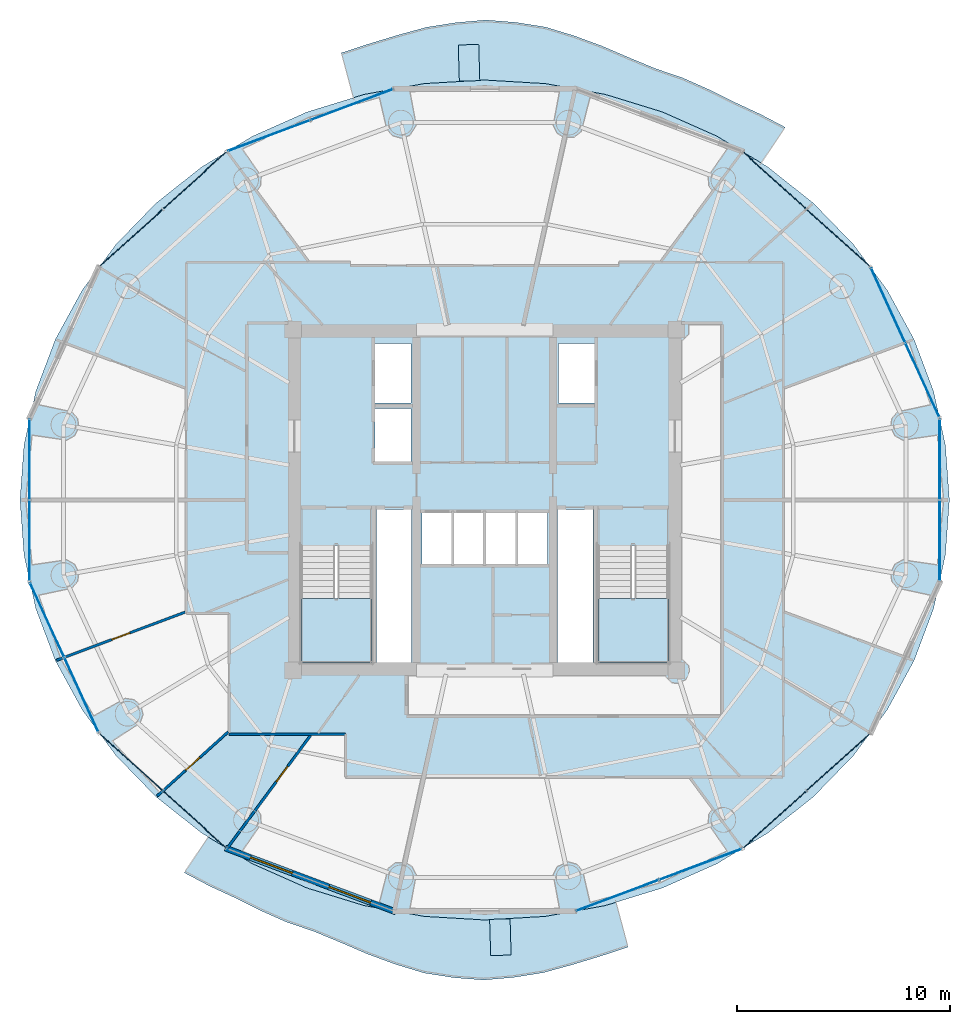
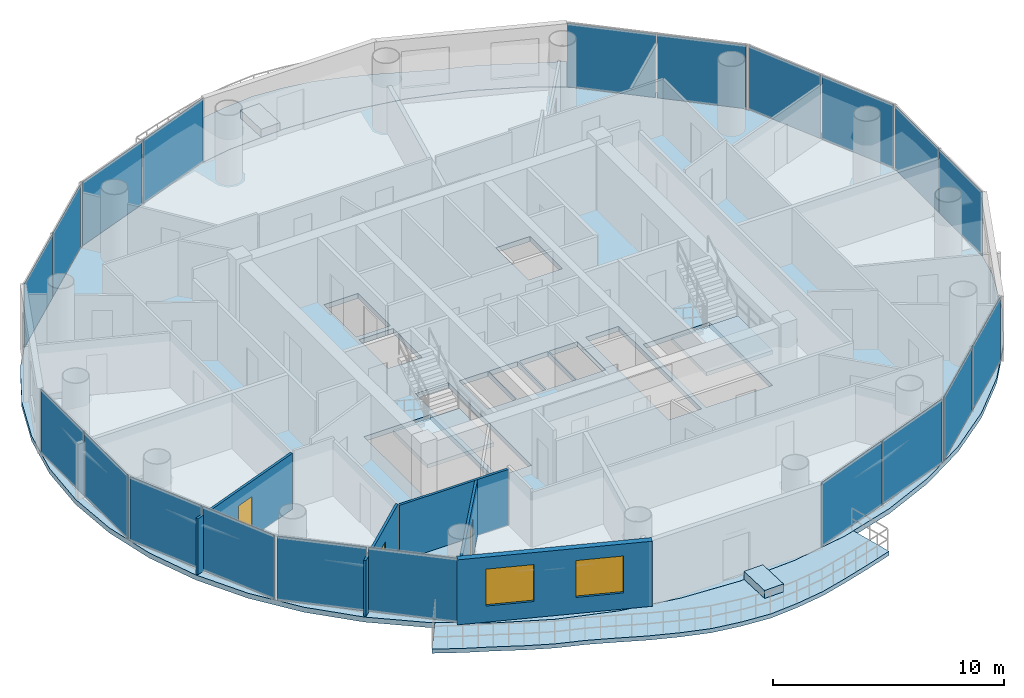
# One storey, part 19 of 26: 20 plates, 7 slabs, 5 walls, 3 doors, 2 windows, 5 openings, 12 elements without a shape of their own.
"""IFC4 building model written with IfcOpenShell, lengths in metres."""

from ifc_helpers import new_model, si_unit, direction, frame, frame_2d, origin, origin_2d, place, context, subcontext, project, spatial, polyline, rectangle, outline, extrude, source, transform, mapped, material, layer, layer_set, type_object, element, fill, aggregate, save


model = new_model("IFC4")

# Units and contexts
model_context = context("Model", 3, precision=1e-05, world=origin(), true_north=direction((-0.2419218956, 0.970295726276)))
body_context = subcontext(model_context, "Body", "Model", "MODEL_VIEW")
ifc_project = project(units=[si_unit("LENGTHUNIT", "METRE"), si_unit("AREAUNIT", "SQUARE_METRE"), si_unit("VOLUMEUNIT", "CUBIC_METRE"), si_unit("PLANEANGLEUNIT", "RADIAN"), si_unit("MASSUNIT", "GRAM", prefix="KILO")], contexts=[model_context])

# Site, building, storey
site_placement = place(None, origin())
site = spatial("IfcSite", under=ifc_project, at=site_placement, CompositionType="ELEMENT")
building_placement = place(site_placement, origin())
building = spatial("IfcBuilding", under=site, at=building_placement, Name="Cobrevalo Terracotta Tower", CompositionType="ELEMENT")
storey_placement = place(building_placement, frame((0.0, 0.0, 220.800048828125)))
storey = spatial("IfcBuildingStorey", under=building, at=storey_placement, Name="L58", CompositionType="ELEMENT", Elevation=220.800048828125)

# Stair, slab
ifc_material_1 = material(Name="Concrete C50", Category="concrete")
stair_type = type_object("IfcStairType", Name="Core protected escape dogleg stair 1600", PredefinedType="HALF_TURN_STAIR", material=ifc_material_1)
stair_1_placement = place(storey_placement, origin())
stair_1 = element("IfcStair", 1, at=stair_1_placement, inside=storey, type_object=stair_type, Name="L58 Protected exit stair ST-1", PredefinedType="HALF_TURN_STAIR")
ifc_layer_1 = layer(ifc_material_1, 0.199951171875)
ifc_layer_set_1 = layer_set([ifc_layer_1], Name="Concrete C50")
slab_type_1 = type_object("IfcSlabType", Name="Reinforced Concrete Stair Landing 200", PredefinedType="LANDING", material=ifc_layer_set_1)
slab_1_placement = place(storey_placement, frame((0.0, 0.0, 1.64990234375)))
slab_1 = element("IfcSlab", 2, at=slab_1_placement, type_object=slab_type_1, Name="ST-1 landing 1", PredefinedType="LANDING", context=body_context, shape_type="SweptSolid", body=[
    extrude(outline(polyline([(29.375, 22.179931640625), (29.375, 19.175048828125), (32.695068359375, 19.175048828125), (32.695068359375, 22.179931640625), (29.375, 22.179931640625)])), origin(), (0.0, 0.0, 1.0), 0.199951171875),
])
aggregate(stair_1, [slab_1])

stair_2_placement = place(storey_placement, origin())
stair_2 = element("IfcStair", 3, at=stair_2_placement, inside=storey, type_object=stair_type, Name="L58 Protected exit stair ST-2", PredefinedType="HALF_TURN_STAIR")
slab_2_placement = place(storey_placement, frame((0.0, 0.0, 1.64990234375)))
slab_2 = element("IfcSlab", 4, at=slab_2_placement, type_object=slab_type_1, Name="ST-2 landing 1", PredefinedType="LANDING", context=body_context, shape_type="SweptSolid", body=[
    extrude(outline(polyline([(43.304931640625, 22.179931640625), (43.304931640625, 19.175048828125), (46.625, 19.175048828125), (46.625, 22.179931640625), (43.304931640625, 22.179931640625)])), origin(), (0.0, 0.0, 1.0), 0.199951171875),
])
aggregate(stair_2, [slab_2])

# Slabs
ifc_material_2 = material(Name="Concrete C45", Category="concrete")
ifc_layer_2 = layer(ifc_material_2, 0.219970703125)
ifc_layer_set_2 = layer_set([ifc_layer_2], Name="Concrete C45")
slab_type_2 = type_object("IfcSlabType", Name="Spiralling cantilevered balcony lobe slab 220 mm", PredefinedType="FLOOR", material=ifc_layer_set_2)
slab_3_placement = place(storey_placement, frame((0.0, 0.0, -0.219970703125)))
element("IfcSlab", 5, at=slab_3_placement, inside=storey, type_object=slab_type_2, Name="L58 spiralling arc balcony slab lobe 1", PredefinedType="FLOOR", context=body_context, shape_type="SweptSolid", body=[
    extrude(outline(polyline([(52.099365234375, 44.282470703125), (50.915771484375, 44.905029296875), (49.709716796875, 45.464111328125), (48.513427734375, 46.058349609375), (47.29150390625, 46.6005859375), (46.0205078125, 47.033935546875), (44.76708984375, 47.552490234375), (43.5, 48.098388671875), (42.18798828125, 48.579345703125), (40.841796875, 48.989013671875), (39.453369140625, 49.207763671875), (38.05078125, 49.3173828125), (36.648681640625, 49.195556640625), (35.2607421875, 48.975341796875), (33.908935546875, 48.60498046875), (32.579345703125, 48.20166015625), (31.2744140625, 47.775634765625), (31.8359375, 45.670654296875), (32.357177734375, 45.83056640625), (35.154296875, 46.33349609375), (38.0, 46.501953125), (40.845703125, 46.33349609375), (43.642822265625, 45.83056640625), (46.34326171875, 45.002197265625), (48.90087890625, 43.862548828125), (50.9775390625, 42.608642578125), (52.099365234375, 44.282470703125)])), origin(), (0.0, 0.0, 1.0), 0.219970703125),
])
slab_4_placement = place(storey_placement, frame((0.0, 0.0, -0.219970703125)))
element("IfcSlab", 6, at=slab_4_placement, inside=storey, type_object=slab_type_2, Name="L58 spiralling arc balcony slab lobe 2", PredefinedType="FLOOR", context=body_context, shape_type="SweptSolid", body=[
    extrude(outline(polyline([(23.900634765625, 9.317626953125), (25.084228515625, 8.695068359375), (26.290283203125, 8.135986328125), (27.486572265625, 7.541748046875), (28.70849609375, 6.999267578125), (29.9794921875, 6.566162109375), (31.23291015625, 6.04736328125), (32.5, 5.50146484375), (33.81201171875, 5.020751953125), (35.158203125, 4.611083984375), (36.546630859375, 4.392333984375), (37.94921875, 4.28271484375), (39.351318359375, 4.404541015625), (40.7392578125, 4.62451171875), (42.091064453125, 4.994873046875), (43.420654296875, 5.398193359375), (44.7255859375, 5.82421875), (44.1640625, 7.92919921875), (43.642822265625, 7.769287109375), (40.845703125, 7.2666015625), (38.0, 7.097900390625), (35.154296875, 7.2666015625), (32.357177734375, 7.769287109375), (29.65673828125, 8.59765625), (27.09912109375, 9.737548828125), (25.0224609375, 10.991455078125), (23.900634765625, 9.317626953125)])), origin(), (0.0, 0.0, 1.0), 0.219970703125),
])
ifc_material_3 = material(Name="Precast concrete C45", Category="concrete")
ifc_layer_3 = layer(ifc_material_3, 0.419921875)
ifc_layer_set_3 = layer_set([ifc_layer_3], Name="Precast concrete C45")
slab_type_3 = type_object("IfcSlabType", Name="Structural tree planter trough base 420 mm", PredefinedType="USERDEFINED", material=ifc_layer_set_3)
slab_5_placement = place(storey_placement, origin())
element("IfcSlab", 7, at=slab_5_placement, inside=storey, type_object=slab_type_3, Name="L58 structural tree planter trough 1", ObjectType="PLANTER", PredefinedType="USERDEFINED", context=body_context, shape_type="SweptSolid", body=[
    extrude(outline(polyline([(37.769775390625, 46.4736328125), (37.7197265625, 48.1728515625), (36.76025390625, 48.144775390625), (36.810302734375, 46.4453125), (37.769775390625, 46.4736328125)])), origin(), (0.0, 0.0, 1.0), 0.419921875),
])
slab_6_placement = place(storey_placement, origin())
element("IfcSlab", 8, at=slab_6_placement, inside=storey, type_object=slab_type_3, Name="L58 structural tree planter trough 2", ObjectType="PLANTER", PredefinedType="USERDEFINED", context=body_context, shape_type="SweptSolid", body=[
    extrude(outline(polyline([(38.230224609375, 7.126220703125), (38.2802734375, 5.427001953125), (39.23974609375, 5.455322265625), (39.189697265625, 7.154541015625), (38.230224609375, 7.126220703125)])), origin(), (0.0, 0.0, 1.0), 0.419921875),
])
ifc_layer_4 = layer(ifc_material_2, 0.264892578125)
ifc_layer_set_4 = layer_set([ifc_layer_4], Name="Concrete C45")
slab_type_4 = type_object("IfcSlabType", Name="Zone Z4 elliptical floor plate 265 mm", PredefinedType="FLOOR", material=ifc_layer_set_4)
slab_7_placement = place(storey_placement, frame((0.0, 0.0, -0.26513671875)))
element("IfcSlab", 9, at=slab_7_placement, inside=storey, type_object=slab_type_4, Name="L58 indoor elliptical floor slab", PredefinedType="FLOOR", context=body_context, shape_type="SweptSolid", body=[
    extrude(outline(polyline([(59.613525390625, 24.228515625), (59.05712890625, 21.701171875), (58.140625, 19.26123046875), (56.87939453125, 16.949951171875), (55.295166015625, 14.807373046875), (53.4150390625, 12.8701171875), (51.27099609375, 11.1708984375), (48.89990234375, 9.7392578125), (46.342529296875, 8.599609375), (43.642333984375, 7.771240234375), (40.845458984375, 7.2685546875), (38.0, 7.10009765625), (35.154541015625, 7.2685546875), (32.357666015625, 7.771240234375), (29.657470703125, 8.599609375), (27.10009765625, 9.7392578125), (24.72900390625, 11.1708984375), (22.5849609375, 12.8701171875), (20.704833984375, 14.807373046875), (19.12060546875, 16.949951171875), (17.859375, 19.26123046875), (16.94287109375, 21.701171875), (16.386474609375, 24.228515625), (16.199951171875, 26.800048828125), (16.386474609375, 29.371337890625), (16.94287109375, 31.898681640625), (17.859375, 34.3388671875), (19.12060546875, 36.64990234375), (20.704833984375, 38.79248046875), (22.5849609375, 40.72998046875), (24.72900390625, 42.428955078125), (27.10009765625, 43.860595703125), (29.657470703125, 45.00048828125), (32.357666015625, 45.828857421875), (35.154541015625, 46.33154296875), (38.0, 46.5), (40.845458984375, 46.33154296875), (43.642333984375, 45.828857421875), (46.342529296875, 45.00048828125), (48.89990234375, 43.860595703125), (51.27099609375, 42.428955078125), (53.4150390625, 40.72998046875), (55.295166015625, 38.79248046875), (56.87939453125, 36.64990234375), (58.140625, 34.3388671875), (59.05712890625, 31.898681640625), (59.613525390625, 29.371337890625), (59.800048828125, 26.800048828125), (59.613525390625, 24.228515625)]), holes=[polyline([(32.695068359375, 19.175048828125), (32.695068359375, 24.659912109375), (29.375, 24.659912109375), (29.375, 19.175048828125), (32.695068359375, 19.175048828125)]), polyline([(34.574951171875, 26.360107421875), (32.919921875, 26.360107421875), (32.919921875, 19.175048828125), (34.574951171875, 19.175048828125), (34.574951171875, 26.360107421875)]), polyline([(36.47998046875, 26.25), (35.050048828125, 26.25), (35.050048828125, 23.800048828125), (36.47998046875, 23.800048828125), (36.47998046875, 26.25)]), polyline([(37.9599609375, 23.800048828125), (37.9599609375, 26.25), (36.530029296875, 26.25), (36.530029296875, 23.800048828125), (37.9599609375, 23.800048828125)]), polyline([(34.550048828125, 28.60009765625), (34.550048828125, 31.10009765625), (32.85009765625, 31.10009765625), (32.85009765625, 28.60009765625), (34.550048828125, 28.60009765625)]), polyline([(34.550048828125, 34.14990234375), (32.85009765625, 34.14990234375), (32.85009765625, 31.35009765625), (34.550048828125, 31.35009765625), (34.550048828125, 34.14990234375)]), polyline([(43.304931640625, 19.175048828125), (46.625, 19.175048828125), (46.625, 24.659912109375), (43.304931640625, 24.659912109375), (43.304931640625, 19.175048828125)]), polyline([(43.080078125, 19.175048828125), (43.080078125, 26.360107421875), (41.425048828125, 26.360107421875), (41.425048828125, 19.175048828125), (43.080078125, 19.175048828125)]), polyline([(39.469970703125, 26.25), (38.0400390625, 26.25), (38.0400390625, 23.800048828125), (39.469970703125, 23.800048828125), (39.469970703125, 26.25)]), polyline([(40.949951171875, 23.800048828125), (40.949951171875, 26.25), (39.52001953125, 26.25), (39.52001953125, 23.800048828125), (40.949951171875, 23.800048828125)]), polyline([(43.14990234375, 31.35009765625), (43.14990234375, 34.14990234375), (41.449951171875, 34.14990234375), (41.449951171875, 31.35009765625), (43.14990234375, 31.35009765625)])]), origin(), (0.0, 0.0, 1.0), 0.26513671875),
])

# Curtain wall, plates
ifc_material_4 = material(Name="Anodized aluminium", Category="aluminium")
curtain_wall_type = type_object("IfcCurtainWallType", Name="Mid-tower high-wind unitised curtain wall CW-U2", PredefinedType="NOTDEFINED", material=ifc_material_4)
curtain_wall_1_placement = place(storey_placement, origin())
curtain_wall_1 = element("IfcCurtainWall", 10, at=curtain_wall_1_placement, inside=storey, type_object=curtain_wall_type, Name="L58 curtain wall CW-L58-S02", PredefinedType="NOTDEFINED")
ifc_material_5 = material(Name="Solar-control low-E double glazing", Category="glass")
ifc_layer_5 = layer(ifc_material_5, 0.028076171875)
ifc_layer_set_5 = layer_set([ifc_layer_5], Name="Solar-control low-E double glazing")
plate_type = type_object("IfcPlateType", Name="Tower solar-control low-E vision glass panel 28 mm", PredefinedType="CURTAIN_PANEL", material=ifc_layer_set_5)
shared_shape_1 = source(origin(), body_context, "Body", "SweptSolid", [
    extrude(rectangle(XDim=3.927490234375, YDim=0.035888671875, at=origin_2d()), origin(), (0.0, 0.0, 1.0), 3.35498046875),
])
plate_1_placement = place(storey_placement, frame((54.584716796875, 39.09814453125, 0.0400390625), z_axis=(0.0, 0.0, 1.0), x_axis=(-0.741987542015, 0.670413668935, 0.0)))
plate_1 = element("IfcPlate", 11, at=plate_1_placement, type_object=plate_type, Name="CW-L58-S02 glazing panel B01", PredefinedType="CURTAIN_PANEL", context=body_context, shape_type="MappedRepresentation", body=[
    mapped(shared_shape_1, transform((0.0, 0.0, 0.0), scale=1.0)),
])
plate_2_placement = place(storey_placement, frame((51.611083984375, 41.784912109375, 0.0400390625), z_axis=(0.0, 0.0, 1.0), x_axis=(-0.741987542015, 0.670413668935, 0.0)))
plate_2 = element("IfcPlate", 12, at=plate_2_placement, type_object=plate_type, Name="CW-L58-S02 glazing panel B02", PredefinedType="CURTAIN_PANEL", context=body_context, shape_type="MappedRepresentation", body=[
    mapped(shared_shape_1, transform((0.0, 0.0, 0.0), scale=1.0)),
])
aggregate(curtain_wall_1, [plate_1, plate_2])

curtain_wall_2_placement = place(storey_placement, origin())
curtain_wall_2 = element("IfcCurtainWall", 13, at=curtain_wall_2_placement, inside=storey, type_object=curtain_wall_type, Name="L58 curtain wall CW-L58-S06", PredefinedType="NOTDEFINED")
plate_3_placement = place(storey_placement, frame((24.388916015625, 41.784912109375, 0.0400390625), z_axis=(0.0, 0.0, 1.0), x_axis=(-0.741987542015, -0.670413668935, 0.0)))
plate_3 = element("IfcPlate", 14, at=plate_3_placement, type_object=plate_type, Name="CW-L58-S06 glazing panel B01", PredefinedType="CURTAIN_PANEL", context=body_context, shape_type="MappedRepresentation", body=[
    mapped(shared_shape_1, transform((0.0, 0.0, 0.0), scale=1.0)),
])
plate_4_placement = place(storey_placement, frame((21.415283203125, 39.09814453125, 0.0400390625), z_axis=(0.0, 0.0, 1.0), x_axis=(-0.741987542015, -0.670413668935, 0.0)))
plate_4 = element("IfcPlate", 15, at=plate_4_placement, type_object=plate_type, Name="CW-L58-S06 glazing panel B02", PredefinedType="CURTAIN_PANEL", context=body_context, shape_type="MappedRepresentation", body=[
    mapped(shared_shape_1, transform((0.0, 0.0, 0.0), scale=1.0)),
])
aggregate(curtain_wall_2, [plate_3, plate_4])

curtain_wall_3_placement = place(storey_placement, origin())
curtain_wall_3 = element("IfcCurtainWall", 16, at=curtain_wall_3_placement, inside=storey, type_object=curtain_wall_type, Name="L58 curtain wall CW-L58-S10", PredefinedType="NOTDEFINED")
plate_5_placement = place(storey_placement, frame((21.415283203125, 14.501708984375, 0.0400390625), z_axis=(0.0, 0.0, 1.0), x_axis=(0.741987542015, -0.670413668935, 0.0)))
plate_5 = element("IfcPlate", 17, at=plate_5_placement, type_object=plate_type, Name="CW-L58-S10 glazing panel B01", PredefinedType="CURTAIN_PANEL", context=body_context, shape_type="MappedRepresentation", body=[
    mapped(shared_shape_1, transform((0.0, 0.0, 0.0), scale=1.0)),
])
plate_6_placement = place(storey_placement, frame((24.388916015625, 11.815185546875, 0.0400390625), z_axis=(0.0, 0.0, 1.0), x_axis=(0.741987542015, -0.670413668935, 0.0)))
plate_6 = element("IfcPlate", 18, at=plate_6_placement, type_object=plate_type, Name="CW-L58-S10 glazing panel B02", PredefinedType="CURTAIN_PANEL", context=body_context, shape_type="MappedRepresentation", body=[
    mapped(shared_shape_1, transform((0.0, 0.0, 0.0), scale=1.0)),
])
aggregate(curtain_wall_3, [plate_5, plate_6])

curtain_wall_4_placement = place(storey_placement, origin())
curtain_wall_4 = element("IfcCurtainWall", 19, at=curtain_wall_4_placement, inside=storey, type_object=curtain_wall_type, Name="L58 curtain wall CW-L58-S14", PredefinedType="NOTDEFINED")
plate_7_placement = place(storey_placement, frame((51.611083984375, 11.815185546875, 0.0400390625), z_axis=(0.0, 0.0, 1.0), x_axis=(0.741987542015, 0.670413668935, 0.0)))
plate_7 = element("IfcPlate", 20, at=plate_7_placement, type_object=plate_type, Name="CW-L58-S14 glazing panel B01", PredefinedType="CURTAIN_PANEL", context=body_context, shape_type="MappedRepresentation", body=[
    mapped(shared_shape_1, transform((0.0, 0.0, 0.0), scale=1.0)),
])
plate_8_placement = place(storey_placement, frame((54.584716796875, 14.501708984375, 0.0400390625), z_axis=(0.0, 0.0, 1.0), x_axis=(0.741987542015, 0.670413668935, 0.0)))
plate_8 = element("IfcPlate", 21, at=plate_8_placement, type_object=plate_type, Name="CW-L58-S14 glazing panel B02", PredefinedType="CURTAIN_PANEL", context=body_context, shape_type="MappedRepresentation", body=[
    mapped(shared_shape_1, transform((0.0, 0.0, 0.0), scale=1.0)),
])
aggregate(curtain_wall_4, [plate_7, plate_8])

curtain_wall_5_placement = place(storey_placement, origin())
curtain_wall_5 = element("IfcCurtainWall", 22, at=curtain_wall_5_placement, inside=storey, type_object=curtain_wall_type, Name="L58 curtain wall CW-L58-S01", PredefinedType="NOTDEFINED")
shared_shape_2 = source(origin(), body_context, "Body", "SweptSolid", [
    extrude(rectangle(XDim=3.780029296875, YDim=0.035888671875, at=origin_2d()), origin(), (0.0, 0.0, 1.0), 3.35498046875),
])
plate_9_placement = place(storey_placement, frame((58.53076171875, 32.42822265625, 0.0400390625), z_axis=(0.0, 0.0, 1.0), x_axis=(-0.416731425355, 0.909029657999, 0.0)))
plate_9 = element("IfcPlate", 23, at=plate_9_placement, type_object=plate_type, Name="CW-L58-S01 glazing panel B01", PredefinedType="CURTAIN_PANEL", context=body_context, shape_type="MappedRepresentation", body=[
    mapped(shared_shape_2, transform((0.0, 0.0, 0.0), scale=1.0)),
])
plate_10_placement = place(storey_placement, frame((56.922119140625, 35.937255859375, 0.0400390625), z_axis=(0.0, 0.0, 1.0), x_axis=(-0.416731425355, 0.909029657999, 0.0)))
plate_10 = element("IfcPlate", 24, at=plate_10_placement, type_object=plate_type, Name="CW-L58-S01 glazing panel B02", PredefinedType="CURTAIN_PANEL", context=body_context, shape_type="MappedRepresentation", body=[
    mapped(shared_shape_2, transform((0.0, 0.0, 0.0), scale=1.0)),
])
aggregate(curtain_wall_5, [plate_9, plate_10])

curtain_wall_6_placement = place(storey_placement, origin())
curtain_wall_6 = element("IfcCurtainWall", 25, at=curtain_wall_6_placement, inside=storey, type_object=curtain_wall_type, Name="L58 curtain wall CW-L58-S09", PredefinedType="NOTDEFINED")
plate_11_placement = place(storey_placement, frame((17.46923828125, 21.171630859375, 0.0400390625), z_axis=(0.0, 0.0, 1.0), x_axis=(0.416731425355, -0.909029657999, 0.0)))
plate_11 = element("IfcPlate", 26, at=plate_11_placement, type_object=plate_type, Name="CW-L58-S09 glazing panel B01", PredefinedType="CURTAIN_PANEL", context=body_context, shape_type="MappedRepresentation", body=[
    mapped(shared_shape_2, transform((0.0, 0.0, 0.0), scale=1.0)),
])
plate_12_placement = place(storey_placement, frame((19.077880859375, 17.662841796875, 0.0400390625), z_axis=(0.0, 0.0, 1.0), x_axis=(0.416731425355, -0.909029657999, 0.0)))
plate_12 = element("IfcPlate", 27, at=plate_12_placement, type_object=plate_type, Name="CW-L58-S09 glazing panel B02", PredefinedType="CURTAIN_PANEL", context=body_context, shape_type="MappedRepresentation", body=[
    mapped(shared_shape_2, transform((0.0, 0.0, 0.0), scale=1.0)),
])
aggregate(curtain_wall_6, [plate_11, plate_12])

curtain_wall_7_placement = place(storey_placement, origin())
curtain_wall_7 = element("IfcCurtainWall", 28, at=curtain_wall_7_placement, inside=storey, type_object=curtain_wall_type, Name="L58 curtain wall CW-L58-S08", PredefinedType="NOTDEFINED")
shared_shape_3 = source(origin(), body_context, "Body", "SweptSolid", [
    extrude(rectangle(XDim=3.71728515625, YDim=0.035888671875, at=origin_2d()), origin(), (0.0, 0.0, 1.0), 3.35498046875),
])
plate_13_placement = place(storey_placement, frame((16.648193359375, 28.69873046875, 0.0400390625), z_axis=(0.0, 0.0, 1.0), x_axis=(0.0, -1.0, 0.0)))
plate_13 = element("IfcPlate", 29, at=plate_13_placement, type_object=plate_type, Name="CW-L58-S08 glazing panel B01", PredefinedType="CURTAIN_PANEL", context=body_context, shape_type="MappedRepresentation", body=[
    mapped(shared_shape_3, transform((0.0, 0.0, 0.0), scale=1.0)),
])
plate_14_placement = place(storey_placement, frame((16.648193359375, 24.9013671875, 0.0400390625), z_axis=(0.0, 0.0, 1.0), x_axis=(0.0, -1.0, 0.0)))
plate_14 = element("IfcPlate", 30, at=plate_14_placement, type_object=plate_type, Name="CW-L58-S08 glazing panel B02", PredefinedType="CURTAIN_PANEL", context=body_context, shape_type="MappedRepresentation", body=[
    mapped(shared_shape_3, transform((0.0, 0.0, 0.0), scale=1.0)),
])
aggregate(curtain_wall_7, [plate_13, plate_14])

curtain_wall_8_placement = place(storey_placement, origin())
curtain_wall_8 = element("IfcCurtainWall", 31, at=curtain_wall_8_placement, inside=storey, type_object=curtain_wall_type, Name="L58 curtain wall CW-L58-S16", PredefinedType="NOTDEFINED")
plate_15_placement = place(storey_placement, frame((59.351806640625, 24.9013671875, 0.0400390625), z_axis=(0.0, 0.0, 1.0), x_axis=(0.0, 1.0, 0.0)))
plate_15 = element("IfcPlate", 32, at=plate_15_placement, type_object=plate_type, Name="CW-L58-S16 glazing panel B01", PredefinedType="CURTAIN_PANEL", context=body_context, shape_type="MappedRepresentation", body=[
    mapped(shared_shape_3, transform((0.0, 0.0, 0.0), scale=1.0)),
])
plate_16_placement = place(storey_placement, frame((59.351806640625, 28.69873046875, 0.0400390625), z_axis=(0.0, 0.0, 1.0), x_axis=(0.0, 1.0, 0.0)))
plate_16 = element("IfcPlate", 33, at=plate_16_placement, type_object=plate_type, Name="CW-L58-S16 glazing panel B02", PredefinedType="CURTAIN_PANEL", context=body_context, shape_type="MappedRepresentation", body=[
    mapped(shared_shape_3, transform((0.0, 0.0, 0.0), scale=1.0)),
])
aggregate(curtain_wall_8, [plate_15, plate_16])

curtain_wall_9_placement = place(storey_placement, origin())
curtain_wall_9 = element("IfcCurtainWall", 34, at=curtain_wall_9_placement, inside=storey, type_object=curtain_wall_type, Name="L58 curtain wall CW-L58-S05", PredefinedType="NOTDEFINED")
shared_shape_4 = source(origin(), body_context, "Body", "SweptSolid", [
    extrude(rectangle(XDim=4.069580078125, YDim=0.035888671875, at=origin_2d()), origin(), (0.0, 0.0, 1.0), 3.35498046875),
])
plate_17_placement = place(storey_placement, frame((31.772216796875, 45.350830078125, 0.0400390625), z_axis=(0.0, 0.0, 1.0), x_axis=(-0.936557839879, -0.350513070458, 0.0)))
plate_17 = element("IfcPlate", 35, at=plate_17_placement, type_object=plate_type, Name="CW-L58-S05 glazing panel B01", PredefinedType="CURTAIN_PANEL", context=body_context, shape_type="MappedRepresentation", body=[
    mapped(shared_shape_4, transform((0.0, 0.0, 0.0), scale=1.0)),
])
plate_18_placement = place(storey_placement, frame((27.885986328125, 43.896240234375, 0.0400390625), z_axis=(0.0, 0.0, 1.0), x_axis=(-0.936557839879, -0.350513070458, 0.0)))
plate_18 = element("IfcPlate", 36, at=plate_18_placement, type_object=plate_type, Name="CW-L58-S05 glazing panel B02", PredefinedType="CURTAIN_PANEL", context=body_context, shape_type="MappedRepresentation", body=[
    mapped(shared_shape_4, transform((0.0, 0.0, 0.0), scale=1.0)),
])
aggregate(curtain_wall_9, [plate_17, plate_18])

curtain_wall_10_placement = place(storey_placement, origin())
curtain_wall_10 = element("IfcCurtainWall", 37, at=curtain_wall_10_placement, inside=storey, type_object=curtain_wall_type, Name="L58 curtain wall CW-L58-S13", PredefinedType="NOTDEFINED")
plate_19_placement = place(storey_placement, frame((44.227783203125, 8.249267578125, 0.0400390625), z_axis=(0.0, 0.0, 1.0), x_axis=(0.936557839879, 0.350513070458, 0.0)))
plate_19 = element("IfcPlate", 38, at=plate_19_placement, type_object=plate_type, Name="CW-L58-S13 glazing panel B01", PredefinedType="CURTAIN_PANEL", context=body_context, shape_type="MappedRepresentation", body=[
    mapped(shared_shape_4, transform((0.0, 0.0, 0.0), scale=1.0)),
])
plate_20_placement = place(storey_placement, frame((48.114013671875, 9.70361328125, 0.0400390625), z_axis=(0.0, 0.0, 1.0), x_axis=(0.936557839879, 0.350513070458, 0.0)))
plate_20 = element("IfcPlate", 39, at=plate_20_placement, type_object=plate_type, Name="CW-L58-S13 glazing panel B02", PredefinedType="CURTAIN_PANEL", context=body_context, shape_type="MappedRepresentation", body=[
    mapped(shared_shape_4, transform((0.0, 0.0, 0.0), scale=1.0)),
])
aggregate(curtain_wall_10, [plate_19, plate_20])

# Wall, openings, windows
ifc_material_6 = material(Name="Autoclaved aerated concrete block", Category="concrete")
ifc_layer_6 = layer(ifc_material_6, 0.280029296875)
ifc_layer_set_6 = layer_set([ifc_layer_6], Name="Autoclaved aerated concrete block")
wall_type_1 = type_object("IfcWallType", Name="Insulated tower spandrel & pier wall 280 mm with terracotta rainscreen", PredefinedType="SOLIDWALL", material=ifc_layer_set_6)
wall_1_placement = place(storey_placement, frame((25.830322265625, 10.47314453125, 0.0), z_axis=(0.0, 0.0, 1.0), x_axis=(0.936556918375, -0.350515532672, 0.0)))
wall_1 = element("IfcWall", 40, at=wall_1_placement, inside=storey, type_object=wall_type_1, Name="L58 terracotta rainscreen pier wall S11", PredefinedType="SOLIDWALL", context=body_context, shape_type="SweptSolid", body=[
    extrude(rectangle(XDim=8.539306640625, YDim=0.280029296875, at=frame_2d((4.26953125, 0.0))), origin(), (0.0, 0.0, 1.0), 3.43505859375),
])
opening_1_placement = place(wall_1_placement, frame((1.255615234375, 0.0, 0.85009765625)))
opening_1 = element("IfcOpeningElement", 41, at=opening_1_placement, cuts=wall_1, Name="Opening WN-10", PredefinedType="OPENING", context=body_context, shape_type="SweptSolid", body=[
    extrude(rectangle(XDim=2.10009765625, YDim=1.949951171875, at=frame_2d((1.050048828125, 0.97509765625))), frame((0.0, 0.14990234375, 0.0), z_axis=(0.0, -1.0, 0.0), x_axis=(1.0, 0.0, 0.0)), (0.0, 0.0, 1.0), 0.300048828125),
])
opening_2_placement = place(wall_1_placement, frame((5.18359375, 0.0, 0.85009765625)))
opening_2 = element("IfcOpeningElement", 42, at=opening_2_placement, cuts=wall_1, Name="Opening WN-10", PredefinedType="OPENING", context=body_context, shape_type="SweptSolid", body=[
    extrude(rectangle(XDim=2.10009765625, YDim=1.949951171875, at=frame_2d((1.050048828125, 0.97509765625))), frame((0.0, 0.14990234375, 0.0), z_axis=(0.0, -1.0, 0.0), x_axis=(1.0, 0.0, 0.0)), (0.0, 0.0, 1.0), 0.300048828125),
])
window_type = type_object("IfcWindowType", Name="Wide panoramic low-E aluminium window 2100x1950", PartitioningType="SINGLE_PANEL", PredefinedType="WINDOW", material=ifc_material_5)
shared_shape_5 = source(origin(), body_context, "Body", "SweptSolid", [
    extrude(rectangle(XDim=2.10009765625, YDim=1.949951171875, at=frame_2d((1.050048828125, 0.97509765625))), frame((0.0, 0.030029296875, 0.0), z_axis=(0.0, -1.0, 0.0), x_axis=(1.0, 0.0, 0.0)), (0.0, 0.0, 1.0), 0.06005859375),
])
window_1_placement = place(opening_1_placement, origin())
window_1 = element("IfcWindow", 43, at=window_1_placement, inside=storey, type_object=window_type, Name="L58 suite window S11A", OverallHeight=1.949951171875, OverallWidth=2.10009765625, PartitioningType="SINGLE_PANEL", PredefinedType="WINDOW", context=body_context, shape_type="MappedRepresentation", body=[
    mapped(shared_shape_5, transform((0.0, 0.0, 0.0), scale=1.0)),
])
fill(opening_1, window_1)
window_2_placement = place(opening_2_placement, origin())
window_2 = element("IfcWindow", 44, at=window_2_placement, inside=storey, type_object=window_type, Name="L58 suite window S11B", OverallHeight=1.949951171875, OverallWidth=2.10009765625, PartitioningType="SINGLE_PANEL", PredefinedType="WINDOW", context=body_context, shape_type="MappedRepresentation", body=[
    mapped(shared_shape_5, transform((0.0, 0.0, 0.0), scale=1.0)),
])
fill(opening_2, window_2)

# Wall
ifc_material_7 = material(Name="Gypsum board on steel stud", Category="steel")
ifc_layer_7 = layer(ifc_material_7, 0.1201171875)
ifc_layer_set_7 = layer_set([ifc_layer_7], Name="Gypsum board on steel stud")
wall_type_2 = type_object("IfcWallType", Name="Residential internal acoustic stud partition 120 mm", PredefinedType="PARTITIONING", material=ifc_layer_set_7)
wall_2_placement = place(storey_placement, frame((31.47998046875, 15.81494140625, 0.0), z_axis=(0.0, 0.0, 1.0), x_axis=(-1.0, 0.0, 0.0)))
element("IfcWall", 45, at=wall_2_placement, inside=storey, type_object=wall_type_2, Name="L58 interior partition IW-L58-U3-RING2_0", PredefinedType="PARTITIONING", context=body_context, shape_type="SweptSolid", body=[
    extrude(rectangle(XDim=5.465087890625, YDim=0.1201171875, at=frame_2d((2.732421875, 0.0))), origin(), (0.0, 0.0, 1.0), 2.950927734375),
])

# Wall, opening, door
wall_3_placement = place(storey_placement, frame((23.947021484375, 21.539794921875, 0.0), z_axis=(0.0, 0.0, 1.0), x_axis=(-0.936534700322, -0.350574892274, 0.0)))
wall_3 = element("IfcWall", 46, at=wall_3_placement, inside=storey, type_object=wall_type_2, Name="L58 interior partition IW-L58-U3-ORAD1", PredefinedType="PARTITIONING", context=body_context, shape_type="SweptSolid", body=[
    extrude(rectangle(XDim=6.43896484375, YDim=0.1201171875, at=frame_2d((3.219482421875, 0.0))), origin(), (0.0, 0.0, 1.0), 2.950927734375),
])
opening_3_placement = place(wall_3_placement, frame((2.769287109375, 0.0, 0.0)))
opening_3 = element("IfcOpeningElement", 47, at=opening_3_placement, cuts=wall_3, Name="Opening ID-12", PredefinedType="OPENING", context=body_context, shape_type="SweptSolid", body=[
    extrude(rectangle(XDim=0.89990234375, YDim=2.14990234375, at=frame_2d((0.449951171875, 1.074951171875))), frame((0.0, 0.070068359375, 0.0), z_axis=(0.0, -1.0, 0.0), x_axis=(1.0, 0.0, 0.0)), (0.0, 0.0, 1.0), 0.14013671875),
])
ifc_material_8 = material(Name="Engineered timber", Category="wood")
door_type = type_object("IfcDoorType", Name="Internal residence & suite timber door 900x2150", OperationType="NOTDEFINED", PredefinedType="DOOR", material=ifc_material_8)
shared_shape_6 = source(origin(), body_context, "Body", "SweptSolid", [
    extrude(rectangle(XDim=0.89990234375, YDim=2.14990234375, at=frame_2d((0.449951171875, 1.074951171875))), frame((0.0, 0.02490234375, 0.0), z_axis=(0.0, -1.0, 0.0), x_axis=(1.0, 0.0, 0.0)), (0.0, 0.0, 1.0), 0.050048828125),
])
door_1_placement = place(opening_3_placement, frame((0.89990234375, 0.0, 0.0), z_axis=(0.0, 0.0, 1.0), x_axis=(-1.0, 0.0, 0.0)))
door_1 = element("IfcDoor", 48, at=door_1_placement, inside=storey, type_object=door_type, Name="Flat L58C Living and Dining Room internal door", OperationType="SINGLE_SWING_LEFT", OverallHeight=2.14990234375, OverallWidth=0.89990234375, PredefinedType="DOOR", context=body_context, shape_type="MappedRepresentation", body=[
    mapped(shared_shape_6, transform((0.0, 0.0, 0.0), scale=1.0)),
])
fill(opening_3, door_1)

wall_4_placement = place(storey_placement, frame((25.968994140625, 15.927978515625, 0.0), z_axis=(0.0, 0.0, 1.0), x_axis=(-0.741935446671, -0.670471321514, 0.0)))
wall_4 = element("IfcWall", 49, at=wall_4_placement, inside=storey, type_object=wall_type_2, Name="L58 interior partition IW-L58-U3-ORAD2", PredefinedType="PARTITIONING", context=body_context, shape_type="SweptSolid", body=[
    extrude(rectangle(XDim=4.499267578125, YDim=0.1201171875, at=frame_2d((2.24951171875, 0.0))), origin(), (0.0, 0.0, 1.0), 2.950927734375),
])
opening_4_placement = place(wall_4_placement, frame((1.799560546875, 0.0, 0.0)))
opening_4 = element("IfcOpeningElement", 50, at=opening_4_placement, cuts=wall_4, Name="Opening ID-12", PredefinedType="OPENING", context=body_context, shape_type="SweptSolid", body=[
    extrude(rectangle(XDim=0.89990234375, YDim=2.14990234375, at=frame_2d((0.449951171875, 1.074951171875))), frame((0.0, 0.070068359375, 0.0), z_axis=(0.0, -1.0, 0.0), x_axis=(1.0, 0.0, 0.0)), (0.0, 0.0, 1.0), 0.14013671875),
])
door_2_placement = place(opening_4_placement, origin())
door_2 = element("IfcDoor", 51, at=door_2_placement, inside=storey, type_object=door_type, Name="Flat L58C Principal Guest Bedroom internal door", OperationType="SINGLE_SWING_RIGHT", OverallHeight=2.14990234375, OverallWidth=0.89990234375, PredefinedType="DOOR", context=body_context, shape_type="MappedRepresentation", body=[
    mapped(shared_shape_6, transform((0.0, 0.0, 0.0), scale=1.0)),
])
fill(opening_4, door_2)

wall_5_placement = place(storey_placement, frame((29.8408203125, 15.76513671875, 0.0), z_axis=(0.0, 0.0, 1.0), x_axis=(-0.594535821787, -0.804069124275, 0.0)))
wall_5 = element("IfcWall", 52, at=wall_5_placement, inside=storey, type_object=wall_type_2, Name="L58 interior partition IW-L58-U3-ORAD3", PredefinedType="PARTITIONING", context=body_context, shape_type="SweptSolid", body=[
    extrude(rectangle(XDim=6.54345703125, YDim=0.1201171875, at=frame_2d((3.271728515625, 0.0))), origin(), (0.0, 0.0, 1.0), 2.950927734375),
])
opening_5_placement = place(wall_5_placement, frame((1.814208984375, 0.0, 0.0)))
opening_5 = element("IfcOpeningElement", 53, at=opening_5_placement, cuts=wall_5, Name="Opening ID-12", PredefinedType="OPENING", context=body_context, shape_type="SweptSolid", body=[
    extrude(rectangle(XDim=0.89990234375, YDim=2.14990234375, at=frame_2d((0.449951171875, 1.074951171875))), frame((0.0, 0.070068359375, 0.0), z_axis=(0.0, -1.0, 0.0), x_axis=(1.0, 0.0, 0.0)), (0.0, 0.0, 1.0), 0.14013671875),
])
door_3_placement = place(opening_5_placement, origin())
door_3 = element("IfcDoor", 54, at=door_3_placement, inside=storey, type_object=door_type, Name="Flat L58C Principal Guest Bedroom internal door", OperationType="SINGLE_SWING_LEFT", OverallHeight=2.14990234375, OverallWidth=0.89990234375, PredefinedType="DOOR", context=body_context, shape_type="MappedRepresentation", body=[
    mapped(shared_shape_6, transform((0.0, 0.0, 0.0), scale=1.0)),
])
fill(opening_5, door_3)

save(model, "model.ifc")
